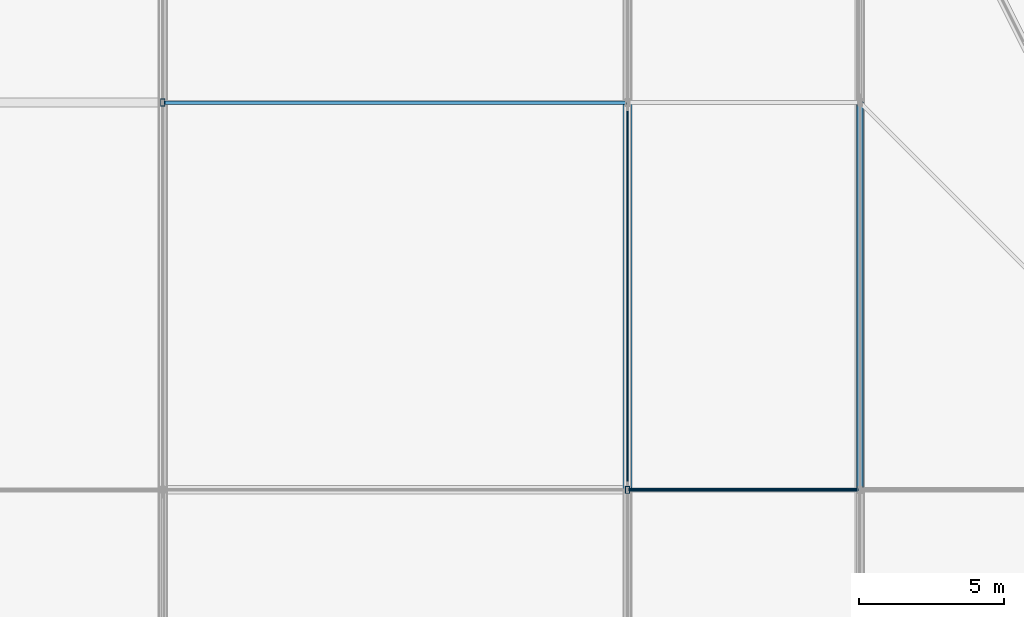
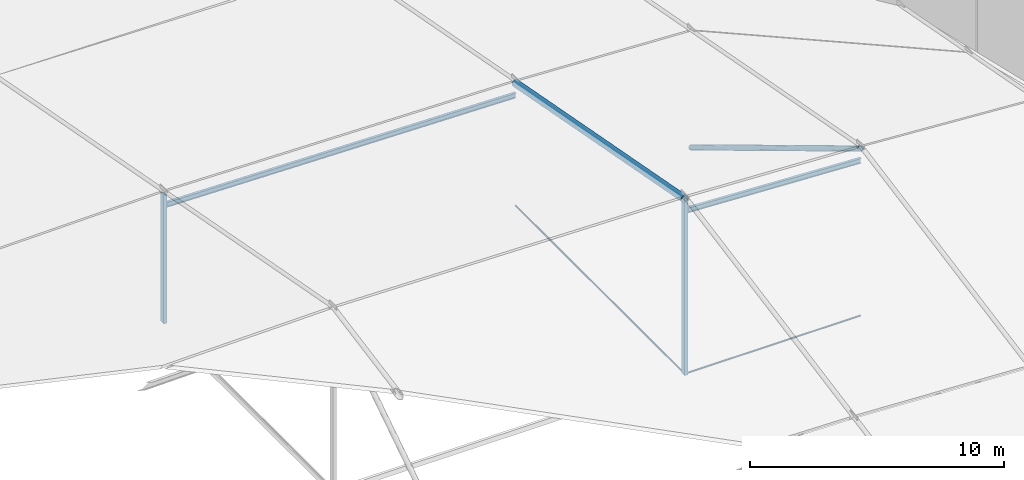
# One storey, part 13 of 30: 8 members.
"""IFC4 building model written with IfcOpenShell, lengths in metres."""

from ifc_helpers import new_model, si_unit, direction, frame, origin, origin_2d, place, context, subcontext, project, spatial, hollow_rectangle, circle, hollow_circle, i_section, extrude, material, material_profile, profile_set, type_object, element, save


model = new_model("IFC4")

# Units and contexts
model_context = context("Model", 3, precision=1e-05, world=origin(), true_north=direction((0.0, 1.0)))
body_context = subcontext(model_context, "Body", "Model", "MODEL_VIEW")
ifc_project = project(units=[si_unit("LENGTHUNIT", "METRE"), si_unit("AREAUNIT", "SQUARE_METRE"), si_unit("VOLUMEUNIT", "CUBIC_METRE"), si_unit("PLANEANGLEUNIT", "RADIAN"), si_unit("MASSUNIT", "GRAM", prefix="KILO")], contexts=[model_context])

# Site, building, storey
site_placement = place(None, origin())
site = spatial("IfcSite", under=ifc_project, at=site_placement, CompositionType="ELEMENT")
building_placement = place(site_placement, origin())
building = spatial("IfcBuilding", under=site, at=building_placement, Name="Tazarka Park Arena", CompositionType="ELEMENT")
storey_placement = place(building_placement, frame((0.0, 0.0, 29.39990234375)))
storey = spatial("IfcBuildingStorey", under=building, at=storey_placement, Name="Roof", CompositionType="ELEMENT", Elevation=29.39990234375)

# Members
ifc_material_1 = material(Name="Steel S355", Category="steel")
ifc_material_profile_1 = material_profile(ifc_material_1, hollow_circle(Radius=0.122314453125, WallThickness=0.012451171875, at=origin_2d()), Name="Steel S355")
ifc_profile_set_1 = profile_set([ifc_material_profile_1], Name="Steel S355")
member_type_1 = type_object("IfcMemberType", Name="MEM-BR-05", PredefinedType="BRACE", material=ifc_profile_set_1)
member_1_placement = place(storey_placement, frame((112.0, 64.0, 7.97900390625), z_axis=(0.0, 0.856673849497, -0.515858425916), x_axis=(-1.0, 0.0, 0.0)))
element("IfcMember", 1, at=member_1_placement, inside=storey, type_object=member_type_1, Name="CBD-06-3", PredefinedType="BRACE", context=body_context, shape_type="SweptSolid", body=[
    extrude(hollow_circle(Radius=0.122314453125, WallThickness=0.012451171875, at=origin_2d()), origin(), (0.0, 0.0, 1.0), 15.56396484375),
])
ifc_material_2 = material(Name="Locked-coil steel cable S1570", Category="steel")
ifc_material_profile_2 = material_profile(ifc_material_2, circle(Radius=0.0400390625, at=origin_2d()), Name="Locked-coil steel cable S1570")
ifc_profile_set_2 = profile_set([ifc_material_profile_2], Name="Locked-coil steel cable S1570")
member_type_2 = type_object("IfcMemberType", Name="MEM-CBL-01", PredefinedType="USERDEFINED", material=ifc_profile_set_2)
member_2_placement = place(storey_placement, frame((104.0, 64.0, -0.0498046875), z_axis=(0.0, 1.0, 0.0), x_axis=(-1.0, 0.0, 0.0)))
element("IfcMember", 2, at=member_2_placement, inside=storey, type_object=member_type_2, Name="CABLE CBL-01-6-4", ObjectType="CABLE", PredefinedType="USERDEFINED", context=body_context, shape_type="SweptSolid", body=[
    extrude(circle(Radius=0.0400390625, at=origin_2d()), origin(), (0.0, 0.0, 1.0), 13.333251953125),
])
member_3_placement = place(storey_placement, frame((104.0, 64.0, -0.0498046875), z_axis=(1.0, 0.0, 0.0), x_axis=(0.0, 1.0, 0.0)))
element("IfcMember", 3, at=member_3_placement, inside=storey, type_object=member_type_2, Name="CABLE TRANSVERSE 6-3", ObjectType="CABLE", PredefinedType="USERDEFINED", context=body_context, shape_type="SweptSolid", body=[
    extrude(circle(Radius=0.0400390625, at=origin_2d()), origin(), (0.0, 0.0, 1.0), 8.0),
])
ifc_material_3 = material(Name="Steel S460", Category="steel")
ifc_material_profile_3 = material_profile(ifc_material_3, hollow_circle(Radius=0.161865234375, WallThickness=0.01611328125, at=origin_2d()), Name="Steel S460")
ifc_profile_set_3 = profile_set([ifc_material_profile_3], Name="Steel S460")
member_type_3 = type_object("IfcMemberType", Name="MEM-CH-03", PredefinedType="CHORD", material=ifc_profile_set_3)
member_4_placement = place(storey_placement, frame((104.0, 64.0, 8.351806640625), z_axis=(0.0, 0.982682430789, -0.185297706998), x_axis=(-1.0, 0.0, 0.0)))
element("IfcMember", 4, at=member_4_placement, inside=storey, type_object=member_type_3, Name="CABLE ARCH CHORD 6-4", PredefinedType="CHORD", context=body_context, shape_type="SweptSolid", body=[
    extrude(hollow_circle(Radius=0.161865234375, WallThickness=0.01611328125, at=origin_2d()), origin(), (0.0, 0.0, 1.0), 13.568115234375),
])
ifc_material_4 = material(Name="Steel S355", Category="steel")
ifc_material_profile_4 = material_profile(ifc_material_4, i_section(OverallWidth=0.1201171875, OverallDepth=0.239990234375, WebThickness=0.006103515625, FlangeThickness=0.009765625, FilletRadius=0.014892578125, at=origin_2d()), Name="Steel S355")
ifc_profile_set_4 = profile_set([ifc_material_profile_4], Name="Steel S355")
member_type_4 = type_object("IfcMemberType", Name="MEM-PR-01", PredefinedType="PURLIN", material=ifc_profile_set_4)
member_5_placement = place(storey_placement, frame((88.0, 77.333251953125, 5.57568359375), z_axis=(0.999826488435, 0.0, -0.018627748755), x_axis=(0.0, 1.0, 0.0)))
element("IfcMember", 5, at=member_5_placement, inside=storey, type_object=member_type_4, Name="RPM-04-04", PredefinedType="PURLIN", context=body_context, shape_type="SweptSolid", body=[
    extrude(i_section(OverallWidth=0.1201171875, OverallDepth=0.239990234375, WebThickness=0.006103515625, FlangeThickness=0.009765625, FilletRadius=0.014892578125, at=origin_2d()), origin(), (0.0, 0.0, 1.0), 16.002685546875),
])
member_6_placement = place(storey_placement, frame((104.0, 64.0, 7.7919921875), z_axis=(0.998915969307, 0.0, -0.046549825596), x_axis=(0.0, 1.0, 0.0)))
element("IfcMember", 6, at=member_6_placement, inside=storey, type_object=member_type_4, Name="RPM-05-03", PredefinedType="PURLIN", context=body_context, shape_type="SweptSolid", body=[
    extrude(i_section(OverallWidth=0.1201171875, OverallDepth=0.239990234375, WebThickness=0.006103515625, FlangeThickness=0.009765625, FilletRadius=0.014892578125, at=origin_2d()), origin(), (0.0, 0.0, 1.0), 8.0087890625),
])
ifc_material_5 = material(Name="Steel S355", Category="steel")
ifc_material_profile_5 = material_profile(ifc_material_5, hollow_rectangle(XDim=0.14990234375, YDim=0.25, WallThickness=0.010009765625, at=origin_2d()), Name="Steel S355")
ifc_profile_set_5 = profile_set([ifc_material_profile_5], Name="Steel S355")
member_type_5 = type_object("IfcMemberType", Name="MEM-PT-02", PredefinedType="POST", material=ifc_profile_set_5)
member_7_placement = place(storey_placement, frame((88.0, 77.333251953125, -0.0498046875), z_axis=(0.0, 0.0, 1.0), x_axis=(1.0, 0.0, 0.0)))
element("IfcMember", 7, at=member_7_placement, inside=storey, type_object=member_type_5, Name="CBH-04-4", PredefinedType="POST", context=body_context, shape_type="SweptSolid", body=[
    extrude(hollow_rectangle(XDim=0.14990234375, YDim=0.25, WallThickness=0.010009765625, at=origin_2d()), origin(), (0.0, 0.0, 1.0), 6.185546875),
])
member_8_placement = place(storey_placement, frame((104.0, 64.0, -0.0498046875), z_axis=(0.0, 0.0, 1.0), x_axis=(1.0, 0.0, 0.0)))
element("IfcMember", 8, at=member_8_placement, inside=storey, type_object=member_type_5, Name="CBH-05-3", PredefinedType="POST", context=body_context, shape_type="SweptSolid", body=[
    extrude(hollow_rectangle(XDim=0.14990234375, YDim=0.25, WallThickness=0.010009765625, at=origin_2d()), origin(), (0.0, 0.0, 1.0), 8.401611328125),
])

save(model, "model.ifc")
